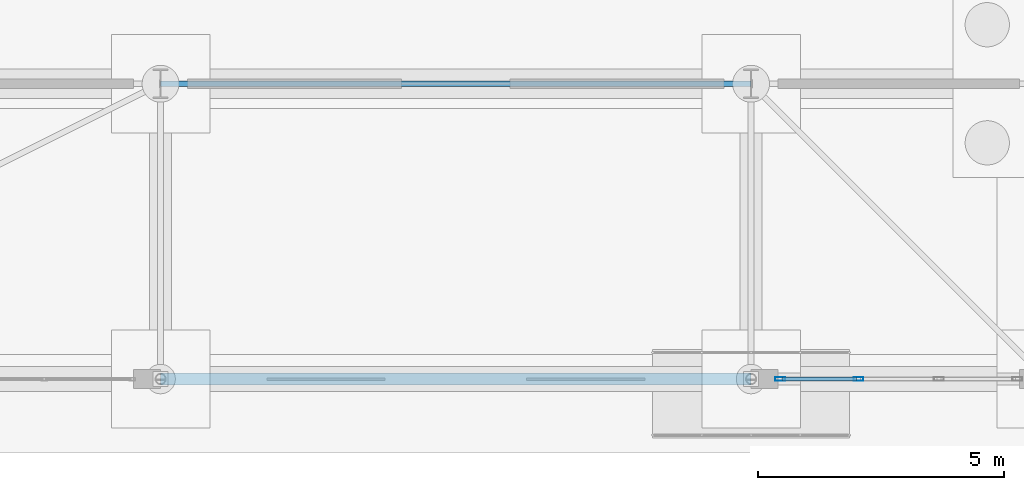
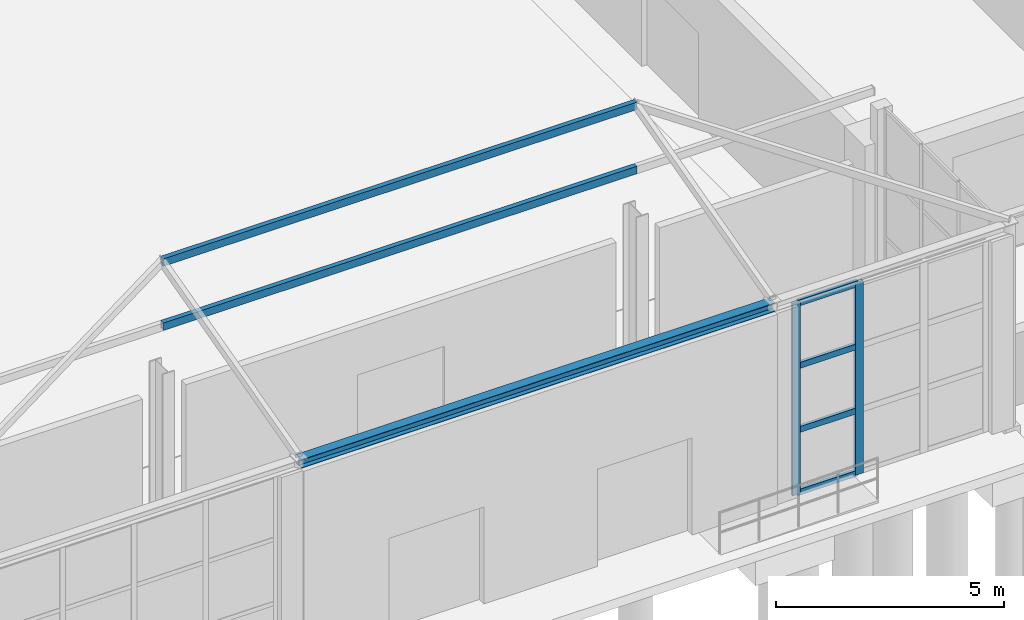
# One storey, part 36 of 77: 7 members, 2 beams, 1 element without a shape of its own.
"""IFC4 building model written with IfcOpenShell, lengths in metres."""

import ifcopenshell
import ifcopenshell.guid

model = None  # the IFC model being written
_history = None  # IfcOwnerHistory: only IFC2X3 demands one
_inside = {}  # id of a spatial element -> (the spatial element, [elements in it])
_under = {}  # id of a project, library or spatial element -> (it, [spatial elements below it])
_declared = {}  # id of a project -> (the project, [libraries it declares])
_typed = {}  # id of a type object -> (the type object, [elements of that type])
_made_of = {}  # id of a material, layer set ... -> (it, [elements and type objects made of it])


def new_model(schema):
    """Start an empty IFC model of exactly this schema.

    Asked for "IFC4X3", IfcOpenShell would pick the latest addendum, in which some entities
    have other attributes; the version numbers below select the first issue.
    IFC2X3 requires an IfcOwnerHistory on every rooted entity: one is made here for all.
    """
    global model, _history
    if schema == "IFC4X3":
        model = ifcopenshell.file(schema_version=(4, 3, 0, 0))
    else:
        model = ifcopenshell.file(schema=schema)
    _inside.clear()
    _under.clear()
    _declared.clear()
    _typed.clear()
    _made_of.clear()
    _history = None
    if model.schema == "IFC2X3":
        org = make("IfcOrganization", Name="unknown")
        user = make(
            "IfcPersonAndOrganization",
            ThePerson=make("IfcPerson", FamilyName="unknown"),
            TheOrganization=org,
        )
        app = make(
            "IfcApplication",
            ApplicationDeveloper=org,
            Version="unknown",
            ApplicationFullName="unknown",
            ApplicationIdentifier="unknown",
        )
        _history = make(
            "IfcOwnerHistory",
            OwningUser=user,
            OwningApplication=app,
            ChangeAction="ADDED",
            CreationDate=0,
        )
    return model


def make(cls, **values):
    """One entity of the class cls with the attributes given. An attribute that is None is left unset."""
    return model.create_entity(
        cls, **{name: value for name, value in values.items() if value is not None}
    )


def rooted(cls, **values):
    """An entity with a GlobalId (a new one), such as an element, a storey or a relation."""
    return make(cls, GlobalId=ifcopenshell.guid.new(), OwnerHistory=_history, **values)


def si_unit(unit_type, name, prefix=None):
    """IfcSIUnit, for example si_unit("LENGTHUNIT", "METRE", prefix="MILLI")."""
    return make("IfcSIUnit", UnitType=unit_type, Prefix=prefix, Name=name)


def assignment(units):
    """IfcUnitAssignment: the units of a project."""
    return None if units is None else make("IfcUnitAssignment", Units=units)


def point(xyz):
    """IfcCartesianPoint."""
    return None if xyz is None else make("IfcCartesianPoint", Coordinates=xyz)


def direction(xyz):
    """IfcDirection."""
    return None if xyz is None else make("IfcDirection", DirectionRatios=xyz)


def frame(location, z_axis=None, x_axis=None):
    """IfcAxis2Placement3D, a coordinate frame: its origin and axes. An axis left out is left unset."""
    return make(
        "IfcAxis2Placement3D",
        Location=point(location),
        Axis=direction(z_axis),
        RefDirection=direction(x_axis),
    )


def frame_2d(location, x_axis=None):
    """IfcAxis2Placement2D, a coordinate frame in the plane: its origin and x axis."""
    return make(
        "IfcAxis2Placement2D", Location=point(location), RefDirection=direction(x_axis)
    )


def origin():
    """The frame at (0, 0, 0) with its axes left unset."""
    return frame((0.0, 0.0, 0.0))


def origin_2d():
    """The frame at (0, 0) in the plane with its x axis left unset."""
    return frame_2d((0.0, 0.0))


def place(relative_to, where):
    """IfcLocalPlacement: puts the frame where relative to a parent placement (None: the world)."""
    return make(
        "IfcLocalPlacement", PlacementRelTo=relative_to, RelativePlacement=where
    )


def context(
    kind, dimensions, precision=None, world=None, true_north=None, identifier=None
):
    """IfcGeometricRepresentationContext, for example the 3D "Model" context."""
    return make(
        "IfcGeometricRepresentationContext",
        ContextIdentifier=identifier,
        ContextType=kind,
        CoordinateSpaceDimension=dimensions,
        Precision=precision,
        WorldCoordinateSystem=world,
        TrueNorth=true_north,
    )


def subcontext(parent, identifier, kind, view, scale=None):
    """IfcGeometricRepresentationSubContext, for example "Body" below "Model"."""
    return make(
        "IfcGeometricRepresentationSubContext",
        ContextIdentifier=identifier,
        ContextType=kind,
        ParentContext=parent,
        TargetScale=scale,
        TargetView=view,
    )


def project(units=None, contexts=None):
    """IfcProject with its units and contexts."""
    return rooted(
        "IfcProject",
        Name="project",
        RepresentationContexts=contexts,
        UnitsInContext=assignment(units),
    )


def spatial(cls, under=None, at=None, **own):
    """A site, building, storey or space (cls), placed at a placement, below another one or the project."""
    s = rooted(cls, ObjectPlacement=at, **own)
    if under is not None:
        _under.setdefault(under.id(), (under, []))[1].append(s)
    return s


def profile(cls, at=None, kind="AREA", **sizes):
    """A parametric profile (cls). Its sizes go by their IFC names, for example OverallWidth=200.0."""
    return make(cls, ProfileType=kind, Position=at, **sizes)


def hollow_rectangle(**sizes):
    """IfcRectangleHollowProfileDef."""
    return profile("IfcRectangleHollowProfileDef", **sizes)


def i_section(**sizes):
    """IfcIShapeProfileDef."""
    return profile("IfcIShapeProfileDef", **sizes)


def extrude(swept, where, along, depth):
    """IfcExtrudedAreaSolid: the profile swept, set in the frame where, extruded along a direction by depth."""
    return make(
        "IfcExtrudedAreaSolid",
        SweptArea=swept,
        Position=where,
        ExtrudedDirection=direction(along),
        Depth=depth,
    )


def shape(context_of_items, identifier, shape_type, items):
    """IfcShapeRepresentation: the items that make up one representation, for example the "Body"."""
    return make(
        "IfcShapeRepresentation",
        ContextOfItems=context_of_items,
        RepresentationIdentifier=identifier,
        RepresentationType=shape_type,
        Items=items,
    )


def material(Name=None, Category=None):
    """IfcMaterial."""
    return make("IfcMaterial", Name=Name, Category=Category)


def layer(
    of_material, thickness, ventilated=None, Name=None, Category=None, Priority=None
):
    """IfcMaterialLayer: one layer of a wall or slab, of a material (None: an air gap)."""
    return make(
        "IfcMaterialLayer",
        Material=of_material,
        LayerThickness=thickness,
        IsVentilated=ventilated,
        Name=Name,
        Category=Category,
        Priority=Priority,
    )


def layer_set(layers, Name=None):
    """IfcMaterialLayerSet."""
    return make("IfcMaterialLayerSet", MaterialLayers=layers, LayerSetName=Name)


def material_profile(
    of_material, cross_section, Name=None, Category=None, Priority=None
):
    """IfcMaterialProfile: a cross section and its material."""
    return make(
        "IfcMaterialProfile",
        Name=Name,
        Material=of_material,
        Profile=cross_section,
        Priority=Priority,
        Category=Category,
    )


def profile_set(profiles, Name=None, composite=None):
    """IfcMaterialProfileSet."""
    return make(
        "IfcMaterialProfileSet",
        Name=Name,
        MaterialProfiles=profiles,
        CompositeProfile=composite,
    )


def made_of(thing, what):
    """Note that an element or type object is made of a material, layer set ...; save() writes the relation."""
    if what is not None:
        _made_of.setdefault(what.id(), (what, []))[1].append(thing)
    return thing


def type_object(cls, material=None, **own):
    """A type object (cls), such as IfcWallType, which elements share."""
    return made_of(rooted(cls, **own), material)


def element(
    cls,
    number,
    at=None,
    inside=None,
    cuts=None,
    type_object=None,
    material=None,
    context=None,
    identifier="Body",
    shape_type=None,
    held_by="IfcProductDefinitionShape",
    body=None,
    shapes=None,
    **own,
):
    """One element of the class cls, such as IfcWall. Its Tag is "e" and its number.

    at: its placement. inside: the storey or other place that contains it. cuts: it is an
    opening in that element (IfcRelVoidsElement). A single representation is given by context,
    identifier, shape_type and body (its items); several are given by shapes. held_by: the class
    of the entity that holds the representations. save() writes the other relations.
    """
    e = rooted(cls, Tag="e%d" % number, ObjectPlacement=at, **own)
    if body is not None:
        shapes = [shape(context, identifier, shape_type, body)]
    if shapes is not None:
        e.Representation = make(held_by, Representations=shapes)
    if inside is not None:
        _inside.setdefault(inside.id(), (inside, []))[1].append(e)
    if cuts is not None:
        rooted(
            "IfcRelVoidsElement", RelatingBuildingElement=cuts, RelatedOpeningElement=e
        )
    if type_object is not None:
        _typed.setdefault(type_object.id(), (type_object, []))[1].append(e)
    return made_of(e, material)


def aggregate(whole, parts):
    """IfcRelAggregates: a whole, such as a stair, and the parts it consists of."""
    return rooted("IfcRelAggregates", RelatingObject=whole, RelatedObjects=parts)


def save(model, path):
    """Write the relations noted so far, then the file.

    IfcRelAggregates (storeys below a building ...), IfcRelContainedInSpatialStructure (elements
    in a storey), IfcRelDefinesByType, IfcRelAssociatesMaterial and IfcRelDeclares: one each for
    every whole, place, type object, material and project.
    """
    for whole, parts in _under.values():
        aggregate(whole, parts)
    for where, things in _inside.values():
        rooted(
            "IfcRelContainedInSpatialStructure",
            RelatedElements=things,
            RelatingStructure=where,
        )
    for kind, things in _typed.values():
        rooted("IfcRelDefinesByType", RelatedObjects=things, RelatingType=kind)
    for what, things in _made_of.values():
        rooted("IfcRelAssociatesMaterial", RelatedObjects=things, RelatingMaterial=what)
    for by, libraries in _declared.values():
        rooted("IfcRelDeclares", RelatingContext=by, RelatedDefinitions=libraries)
    model.write(path)


model = new_model("IFC4")

# Units and contexts
model_context = context("Model", 3, precision=1e-05, world=origin(), true_north=direction((0.0, 1.0)))
body_context = subcontext(model_context, "Body", "Model", "MODEL_VIEW")
ifc_project = project(units=[si_unit("LENGTHUNIT", "METRE"), si_unit("AREAUNIT", "SQUARE_METRE"), si_unit("VOLUMEUNIT", "CUBIC_METRE"), si_unit("PLANEANGLEUNIT", "RADIAN"), si_unit("MASSUNIT", "GRAM", prefix="KILO")], contexts=[model_context])

# Site, building, storey
site_placement = place(None, origin())
site = spatial("IfcSite", under=ifc_project, at=site_placement, CompositionType="ELEMENT")
building_placement = place(site_placement, origin())
building = spatial("IfcBuilding", under=site, at=building_placement, Name="Zilviju Railside Exhibition Hall", CompositionType="ELEMENT")
storey_placement = place(building_placement, origin())
storey = spatial("IfcBuildingStorey", under=building, at=storey_placement, Name="L01", CompositionType="ELEMENT", Elevation=0.0)

# Beams
ifc_material_1 = material(Name="Steel S355ML", Category="steel")
ifc_material_profile_1 = material_profile(ifc_material_1, i_section(OverallWidth=0.239990234375, OverallDepth=0.22998046875, WebThickness=0.007568359375, FlangeThickness=0.011962890625, at=origin_2d()), Name="HEA 240")
ifc_profile_set_1 = profile_set([ifc_material_profile_1], Name="Steel S355ML")
beam_type_1 = type_object("IfcBeamType", Name="BM-HEA240", PredefinedType="SPANDREL", material=ifc_profile_set_1)
beam_1_placement = place(storey_placement, frame((60.0, -6.0, 5.280029296875), z_axis=(1.0, 0.0, 0.0), x_axis=(0.0, 1.0, 0.0)))
element("IfcBeam", 1, at=beam_1_placement, inside=storey, type_object=beam_type_1, Name="Porch Eave Beam Y=-6.0 (60.0..72.0)", PredefinedType="SPANDREL", context=body_context, shape_type="SweptSolid", body=[
    extrude(i_section(OverallWidth=0.239990234375, OverallDepth=0.22998046875, WebThickness=0.007568359375, FlangeThickness=0.011962890625, at=origin_2d()), origin(), (0.0, 0.0, 1.0), 12.0),
])
ifc_material_profile_2 = material_profile(ifc_material_1, hollow_rectangle(XDim=0.1201171875, YDim=0.199951171875, WallThickness=0.008056640625, at=origin_2d()), Name="RHS 200x120x8.0")
ifc_profile_set_2 = profile_set([ifc_material_profile_2], Name="Steel S355ML")
beam_type_2 = type_object("IfcBeamType", Name="BM-RHS200", PredefinedType="LINTEL", material=ifc_profile_set_2)
beam_2_placement = place(storey_placement, frame((60.0, 0.0, 5.280029296875), z_axis=(1.0, 0.0, 0.0), x_axis=(0.0, 1.0, 0.0)))
element("IfcBeam", 2, at=beam_2_placement, inside=storey, type_object=beam_type_2, Name="Porch Eave Beam Y=0.0 (60.0..72.0)", PredefinedType="LINTEL", context=body_context, shape_type="SweptSolid", body=[
    extrude(hollow_rectangle(XDim=0.1201171875, YDim=0.199951171875, WallThickness=0.008056640625, at=origin_2d()), origin(), (0.0, 0.0, 1.0), 12.0),
])

# Curtain wall, members
ifc_material_2 = material(Name="Thermally broken aluminium-steel triple-glazed curtain wall", Category="steel")
ifc_layer = layer(ifc_material_2, 0.179931640625)
ifc_layer_set = layer_set([ifc_layer], Name="Thermally broken aluminium-steel triple-glazed curtain wall")
curtain_wall_type = type_object("IfcCurtainWallType", Name="CW-BAY-08", PredefinedType="USERDEFINED", material=ifc_layer_set)
curtain_wall_placement = place(storey_placement, origin())
curtain_wall = element("IfcCurtainWall", 3, at=curtain_wall_placement, inside=storey, type_object=curtain_wall_type, Name="Glazed Entrance Porch South Curtain Wall (72..78)", ObjectType="GLAZED CURTAIN WALL", PredefinedType="USERDEFINED")
ifc_material_3 = material(Name="Thermally broken anodized aluminium mullion", Category="aluminium")
ifc_material_profile_3 = material_profile(ifc_material_3, hollow_rectangle(XDim=0.080078125, YDim=0.199951171875, WallThickness=0.0048828125, at=origin_2d()), Name="MULLION 200x80x5")
ifc_profile_set_3 = profile_set([ifc_material_profile_3], Name="Thermally broken anodized aluminium mullion")
member_type_1 = type_object("IfcMemberType", Name="CWM-80x200", PredefinedType="MULLION", material=ifc_profile_set_3)
member_1_placement = place(storey_placement, frame((74.183349609375, -6.0, 0.0), z_axis=(0.0, 0.0, 1.0), x_axis=(0.0, -1.0, 0.0)))
member_1 = element("IfcMember", 4, at=member_1_placement, type_object=member_type_1, Name="CW-08 mullion 3", PredefinedType="MULLION", context=body_context, shape_type="SweptSolid", body=[
    extrude(hollow_rectangle(XDim=0.080078125, YDim=0.199951171875, WallThickness=0.0048828125, at=origin_2d()), origin(), (0.0, 0.0, 1.0), 5.14990234375),
])
member_2_placement = place(storey_placement, frame((72.590087890625, -6.0, 0.0), z_axis=(0.0, 0.0, 1.0), x_axis=(0.0, -1.0, 0.0)))
member_2 = element("IfcMember", 5, at=member_2_placement, type_object=member_type_1, Name="CW-08 mullion 4", PredefinedType="MULLION", context=body_context, shape_type="SweptSolid", body=[
    extrude(hollow_rectangle(XDim=0.080078125, YDim=0.199951171875, WallThickness=0.0048828125, at=origin_2d()), origin(), (0.0, 0.0, 1.0), 5.14990234375),
])
ifc_material_4 = material(Name="Thermally broken anodized aluminium transom", Category="aluminium")
ifc_material_profile_4 = material_profile(ifc_material_4, hollow_rectangle(XDim=0.080078125, YDim=0.159912109375, WallThickness=0.0048828125, at=origin_2d()), Name="TRANSOM 160x80x5")
ifc_profile_set_4 = profile_set([ifc_material_profile_4], Name="Thermally broken anodized aluminium transom")
member_type_2 = type_object("IfcMemberType", Name="CWT-80x160", PredefinedType="USERDEFINED", material=ifc_profile_set_4)
member_3_placement = place(storey_placement, frame((74.143310546875, -6.0, 0.0400390625), z_axis=(-1.0, 0.0, 0.0), x_axis=(0.0, -1.0, 0.0)))
member_3 = element("IfcMember", 6, at=member_3_placement, type_object=member_type_2, Name="CW-08 transom 3.1", ObjectType="TRANSOM", PredefinedType="USERDEFINED", context=body_context, shape_type="SweptSolid", body=[
    extrude(hollow_rectangle(XDim=0.080078125, YDim=0.159912109375, WallThickness=0.0048828125, at=origin_2d()), origin(), (0.0, 0.0, 1.0), 1.513427734375),
])
member_4_placement = place(storey_placement, frame((74.143310546875, -6.0, 1.717041015625), z_axis=(-1.0, 0.0, 0.0), x_axis=(0.0, -1.0, 0.0)))
member_4 = element("IfcMember", 7, at=member_4_placement, type_object=member_type_2, Name="CW-08 transom 3.2", ObjectType="TRANSOM", PredefinedType="USERDEFINED", context=body_context, shape_type="SweptSolid", body=[
    extrude(hollow_rectangle(XDim=0.080078125, YDim=0.159912109375, WallThickness=0.0048828125, at=origin_2d()), origin(), (0.0, 0.0, 1.0), 1.513427734375),
])
member_5_placement = place(storey_placement, frame((74.143310546875, -6.0, 3.43310546875), z_axis=(-1.0, 0.0, 0.0), x_axis=(0.0, -1.0, 0.0)))
member_5 = element("IfcMember", 8, at=member_5_placement, type_object=member_type_2, Name="CW-08 transom 3.3", ObjectType="TRANSOM", PredefinedType="USERDEFINED", context=body_context, shape_type="SweptSolid", body=[
    extrude(hollow_rectangle(XDim=0.080078125, YDim=0.159912109375, WallThickness=0.0048828125, at=origin_2d()), origin(), (0.0, 0.0, 1.0), 1.513427734375),
])
member_6_placement = place(storey_placement, frame((74.143310546875, -6.0, 5.110107421875), z_axis=(-1.0, 0.0, 0.0), x_axis=(0.0, -1.0, 0.0)))
member_6 = element("IfcMember", 9, at=member_6_placement, type_object=member_type_2, Name="CW-08 transom 3.4", ObjectType="TRANSOM", PredefinedType="USERDEFINED", context=body_context, shape_type="SweptSolid", body=[
    extrude(hollow_rectangle(XDim=0.080078125, YDim=0.159912109375, WallThickness=0.0048828125, at=origin_2d()), origin(), (0.0, 0.0, 1.0), 1.513427734375),
])
aggregate(curtain_wall, [member_1, member_2, member_3, member_4, member_5, member_6])

# Member
ifc_material_profile_5 = material_profile(ifc_material_1, hollow_rectangle(XDim=0.1201171875, YDim=0.199951171875, WallThickness=0.008056640625, at=origin_2d()), Name="RHS 200x120x8.0")
ifc_profile_set_5 = profile_set([ifc_material_profile_5], Name="Steel S355ML")
member_type_3 = type_object("IfcMemberType", Name="TR-RAF-RHS200", PredefinedType="RAFTER", material=ifc_profile_set_5)
member_7_placement = place(storey_placement, frame((60.0, 0.0, 7.0), z_axis=(1.0, 0.0, 0.0), x_axis=(0.0, 1.0, 0.0)))
element("IfcMember", 10, at=member_7_placement, inside=storey, type_object=member_type_3, Name="Entrance Porch Ridge Beam", PredefinedType="RAFTER", context=body_context, shape_type="SweptSolid", body=[
    extrude(hollow_rectangle(XDim=0.1201171875, YDim=0.199951171875, WallThickness=0.008056640625, at=origin_2d()), origin(), (0.0, 0.0, 1.0), 12.0),
])

save(model, "model.ifc")
